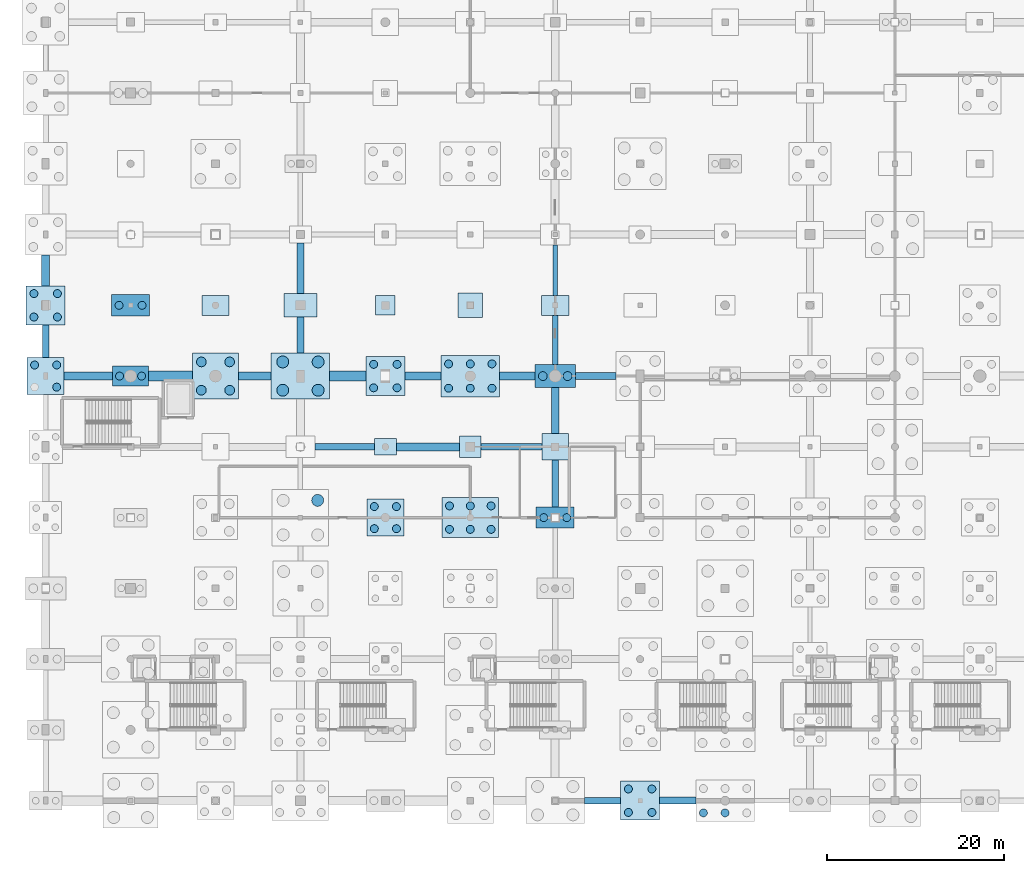
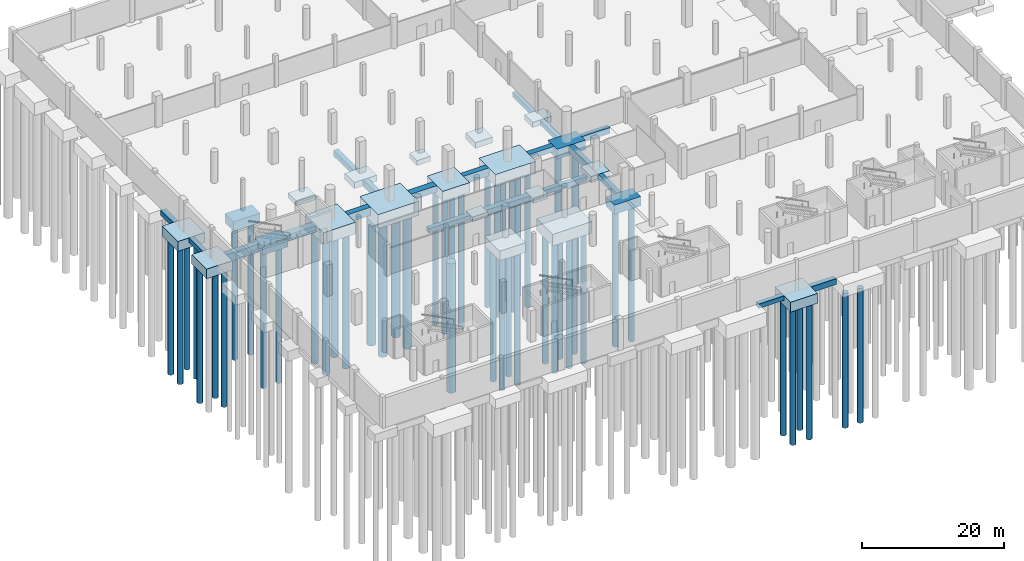
# One storey, part 3 of 44: 50 piles, 41 footings.
"""IFC4 building model written with IfcOpenShell, lengths in metres."""

import ifcopenshell
import ifcopenshell.guid

model = None  # the IFC model being written
_history = None  # IfcOwnerHistory: only IFC2X3 demands one
_inside = {}  # id of a spatial element -> (the spatial element, [elements in it])
_under = {}  # id of a project, library or spatial element -> (it, [spatial elements below it])
_declared = {}  # id of a project -> (the project, [libraries it declares])
_typed = {}  # id of a type object -> (the type object, [elements of that type])
_made_of = {}  # id of a material, layer set ... -> (it, [elements and type objects made of it])


def new_model(schema):
    """Start an empty IFC model of exactly this schema.

    Asked for "IFC4X3", IfcOpenShell would pick the latest addendum, in which some entities
    have other attributes; the version numbers below select the first issue.
    IFC2X3 requires an IfcOwnerHistory on every rooted entity: one is made here for all.
    """
    global model, _history
    if schema == "IFC4X3":
        model = ifcopenshell.file(schema_version=(4, 3, 0, 0))
    else:
        model = ifcopenshell.file(schema=schema)
    _inside.clear()
    _under.clear()
    _declared.clear()
    _typed.clear()
    _made_of.clear()
    _history = None
    if model.schema == "IFC2X3":
        org = make("IfcOrganization", Name="unknown")
        user = make(
            "IfcPersonAndOrganization",
            ThePerson=make("IfcPerson", FamilyName="unknown"),
            TheOrganization=org,
        )
        app = make(
            "IfcApplication",
            ApplicationDeveloper=org,
            Version="unknown",
            ApplicationFullName="unknown",
            ApplicationIdentifier="unknown",
        )
        _history = make(
            "IfcOwnerHistory",
            OwningUser=user,
            OwningApplication=app,
            ChangeAction="ADDED",
            CreationDate=0,
        )
    return model


def make(cls, **values):
    """One entity of the class cls with the attributes given. An attribute that is None is left unset."""
    return model.create_entity(
        cls, **{name: value for name, value in values.items() if value is not None}
    )


def rooted(cls, **values):
    """An entity with a GlobalId (a new one), such as an element, a storey or a relation."""
    return make(cls, GlobalId=ifcopenshell.guid.new(), OwnerHistory=_history, **values)


def si_unit(unit_type, name, prefix=None):
    """IfcSIUnit, for example si_unit("LENGTHUNIT", "METRE", prefix="MILLI")."""
    return make("IfcSIUnit", UnitType=unit_type, Prefix=prefix, Name=name)


def assignment(units):
    """IfcUnitAssignment: the units of a project."""
    return None if units is None else make("IfcUnitAssignment", Units=units)


def point(xyz):
    """IfcCartesianPoint."""
    return None if xyz is None else make("IfcCartesianPoint", Coordinates=xyz)


def direction(xyz):
    """IfcDirection."""
    return None if xyz is None else make("IfcDirection", DirectionRatios=xyz)


def frame(location, z_axis=None, x_axis=None):
    """IfcAxis2Placement3D, a coordinate frame: its origin and axes. An axis left out is left unset."""
    return make(
        "IfcAxis2Placement3D",
        Location=point(location),
        Axis=direction(z_axis),
        RefDirection=direction(x_axis),
    )


def frame_2d(location, x_axis=None):
    """IfcAxis2Placement2D, a coordinate frame in the plane: its origin and x axis."""
    return make(
        "IfcAxis2Placement2D", Location=point(location), RefDirection=direction(x_axis)
    )


def origin():
    """The frame at (0, 0, 0) with its axes left unset."""
    return frame((0.0, 0.0, 0.0))


def origin_2d():
    """The frame at (0, 0) in the plane with its x axis left unset."""
    return frame_2d((0.0, 0.0))


def place(relative_to, where):
    """IfcLocalPlacement: puts the frame where relative to a parent placement (None: the world)."""
    return make(
        "IfcLocalPlacement", PlacementRelTo=relative_to, RelativePlacement=where
    )


def context(
    kind, dimensions, precision=None, world=None, true_north=None, identifier=None
):
    """IfcGeometricRepresentationContext, for example the 3D "Model" context."""
    return make(
        "IfcGeometricRepresentationContext",
        ContextIdentifier=identifier,
        ContextType=kind,
        CoordinateSpaceDimension=dimensions,
        Precision=precision,
        WorldCoordinateSystem=world,
        TrueNorth=true_north,
    )


def subcontext(parent, identifier, kind, view, scale=None):
    """IfcGeometricRepresentationSubContext, for example "Body" below "Model"."""
    return make(
        "IfcGeometricRepresentationSubContext",
        ContextIdentifier=identifier,
        ContextType=kind,
        ParentContext=parent,
        TargetScale=scale,
        TargetView=view,
    )


def project(units=None, contexts=None):
    """IfcProject with its units and contexts."""
    return rooted(
        "IfcProject",
        Name="project",
        RepresentationContexts=contexts,
        UnitsInContext=assignment(units),
    )


def spatial(cls, under=None, at=None, **own):
    """A site, building, storey or space (cls), placed at a placement, below another one or the project."""
    s = rooted(cls, ObjectPlacement=at, **own)
    if under is not None:
        _under.setdefault(under.id(), (under, []))[1].append(s)
    return s


def profile(cls, at=None, kind="AREA", **sizes):
    """A parametric profile (cls). Its sizes go by their IFC names, for example OverallWidth=200.0."""
    return make(cls, ProfileType=kind, Position=at, **sizes)


def rectangle(**sizes):
    """IfcRectangleProfileDef."""
    return profile("IfcRectangleProfileDef", **sizes)


def circle(**sizes):
    """IfcCircleProfileDef."""
    return profile("IfcCircleProfileDef", **sizes)


def extrude(swept, where, along, depth):
    """IfcExtrudedAreaSolid: the profile swept, set in the frame where, extruded along a direction by depth."""
    return make(
        "IfcExtrudedAreaSolid",
        SweptArea=swept,
        Position=where,
        ExtrudedDirection=direction(along),
        Depth=depth,
    )


def shape(context_of_items, identifier, shape_type, items):
    """IfcShapeRepresentation: the items that make up one representation, for example the "Body"."""
    return make(
        "IfcShapeRepresentation",
        ContextOfItems=context_of_items,
        RepresentationIdentifier=identifier,
        RepresentationType=shape_type,
        Items=items,
    )


def material(Name=None, Category=None):
    """IfcMaterial."""
    return make("IfcMaterial", Name=Name, Category=Category)


def material_profile(
    of_material, cross_section, Name=None, Category=None, Priority=None
):
    """IfcMaterialProfile: a cross section and its material."""
    return make(
        "IfcMaterialProfile",
        Name=Name,
        Material=of_material,
        Profile=cross_section,
        Priority=Priority,
        Category=Category,
    )


def profile_set(profiles, Name=None, composite=None):
    """IfcMaterialProfileSet."""
    return make(
        "IfcMaterialProfileSet",
        Name=Name,
        MaterialProfiles=profiles,
        CompositeProfile=composite,
    )


def made_of(thing, what):
    """Note that an element or type object is made of a material, layer set ...; save() writes the relation."""
    if what is not None:
        _made_of.setdefault(what.id(), (what, []))[1].append(thing)
    return thing


def type_object(cls, material=None, **own):
    """A type object (cls), such as IfcWallType, which elements share."""
    return made_of(rooted(cls, **own), material)


def element(
    cls,
    number,
    at=None,
    inside=None,
    cuts=None,
    type_object=None,
    material=None,
    context=None,
    identifier="Body",
    shape_type=None,
    held_by="IfcProductDefinitionShape",
    body=None,
    shapes=None,
    **own,
):
    """One element of the class cls, such as IfcWall. Its Tag is "e" and its number.

    at: its placement. inside: the storey or other place that contains it. cuts: it is an
    opening in that element (IfcRelVoidsElement). A single representation is given by context,
    identifier, shape_type and body (its items); several are given by shapes. held_by: the class
    of the entity that holds the representations. save() writes the other relations.
    """
    e = rooted(cls, Tag="e%d" % number, ObjectPlacement=at, **own)
    if body is not None:
        shapes = [shape(context, identifier, shape_type, body)]
    if shapes is not None:
        e.Representation = make(held_by, Representations=shapes)
    if inside is not None:
        _inside.setdefault(inside.id(), (inside, []))[1].append(e)
    if cuts is not None:
        rooted(
            "IfcRelVoidsElement", RelatingBuildingElement=cuts, RelatedOpeningElement=e
        )
    if type_object is not None:
        _typed.setdefault(type_object.id(), (type_object, []))[1].append(e)
    return made_of(e, material)


def aggregate(whole, parts):
    """IfcRelAggregates: a whole, such as a stair, and the parts it consists of."""
    return rooted("IfcRelAggregates", RelatingObject=whole, RelatedObjects=parts)


def save(model, path):
    """Write the relations noted so far, then the file.

    IfcRelAggregates (storeys below a building ...), IfcRelContainedInSpatialStructure (elements
    in a storey), IfcRelDefinesByType, IfcRelAssociatesMaterial and IfcRelDeclares: one each for
    every whole, place, type object, material and project.
    """
    for whole, parts in _under.values():
        aggregate(whole, parts)
    for where, things in _inside.values():
        rooted(
            "IfcRelContainedInSpatialStructure",
            RelatedElements=things,
            RelatingStructure=where,
        )
    for kind, things in _typed.values():
        rooted("IfcRelDefinesByType", RelatedObjects=things, RelatingType=kind)
    for what, things in _made_of.values():
        rooted("IfcRelAssociatesMaterial", RelatedObjects=things, RelatingMaterial=what)
    for by, libraries in _declared.values():
        rooted("IfcRelDeclares", RelatingContext=by, RelatedDefinitions=libraries)
    model.write(path)


model = new_model("IFC4")

# Units and contexts
model_context = context("Model", 3, precision=1e-05, world=origin(), true_north=direction((0.0, 1.0)))
body_context = subcontext(model_context, "Body", "Model", "MODEL_VIEW")
ifc_project = project(units=[si_unit("LENGTHUNIT", "METRE"), si_unit("AREAUNIT", "SQUARE_METRE"), si_unit("VOLUMEUNIT", "CUBIC_METRE"), si_unit("PLANEANGLEUNIT", "RADIAN"), si_unit("MASSUNIT", "GRAM", prefix="KILO")], contexts=[model_context])

# Site, building, storey
site_placement = place(None, origin())
site = spatial("IfcSite", under=ifc_project, at=site_placement, CompositionType="ELEMENT")
building_placement = place(site_placement, origin())
building = spatial("IfcBuilding", under=site, at=building_placement, Name="Danafjord Basin Convention Centre", CompositionType="ELEMENT")
storey_placement = place(building_placement, frame((0.0, 0.0, -5.39990234375)))
storey = spatial("IfcBuildingStorey", under=building, at=storey_placement, Name="B1", CompositionType="ELEMENT", Elevation=-5.39990234375)

# Footings
ifc_material_1 = material(Name="Concrete C40/50", Category="concrete")
footing_type_1 = type_object("IfcFootingType", Name="CAP-PC-03", PredefinedType="PILE_CAP", material=ifc_material_1)
footing_1_placement = place(storey_placement, frame((9.60009765625, 56.0, -1.55029296875), z_axis=(0.0, 0.0, 1.0), x_axis=(1.0, 0.0, 0.0)))
element("IfcFooting", 1, at=footing_1_placement, inside=storey, type_object=footing_type_1, Name="B1 pile cap PC-03 at (9.6, 56.0)", PredefinedType="PILE_CAP", context=body_context, shape_type="SweptSolid", body=[
    extrude(rectangle(XDim=4.10009765625, YDim=2.300048828125, at=origin_2d()), origin(), (0.0, 0.0, 1.0), 1.550048828125),
])
footing_type_2 = type_object("IfcFootingType", Name="CAP-PC-04", PredefinedType="PILE_CAP", material=ifc_material_1)
for number, where, z_axis, x_axis, name in (
    (2, (9.60009765625, 64.0, -2.2001953125), (0.0, 0.0, 1.0), (1.0, 0.0, 0.0), "B1 pile cap PC-04 at (9.6, 64.0)"),
    (3, (57.60009765625, 40.0, -1.60009765625), (0.0, 0.0, 1.0), (1.0, 0.0, 0.0), "B1 pile cap PC-04 at (57.6, 40.0)"),
):
    element("IfcFooting", number, at=place(storey_placement, frame(where, z_axis=z_axis, x_axis=x_axis)), inside=storey, type_object=footing_type_2, Name=name, PredefinedType="PILE_CAP", context=body_context, shape_type="SweptSolid", body=[
        extrude(rectangle(XDim=4.300048828125, YDim=2.39990234375, at=origin_2d()), origin(), (0.0, 0.0, 1.0), 1.60009765625),
    ])
footing_type_3 = type_object("IfcFootingType", Name="CAP-PC-05", PredefinedType="PILE_CAP", material=ifc_material_1)
footing_2_placement = place(storey_placement, frame((57.60009765625, 56.0, -1.7001953125), z_axis=(0.0, 0.0, 1.0), x_axis=(1.0, 0.0, 0.0)))
element("IfcFooting", 4, at=footing_2_placement, inside=storey, type_object=footing_type_3, Name="B1 pile cap PC-05 at (57.6, 56.0)", PredefinedType="PILE_CAP", context=body_context, shape_type="SweptSolid", body=[
    extrude(rectangle(XDim=4.60009765625, YDim=2.60009765625, at=origin_2d()), origin(), (0.0, 0.0, 1.0), 1.699951171875),
])
footing_type_4 = type_object("IfcFootingType", Name="CAP-PC-08", PredefinedType="PILE_CAP", material=ifc_material_1)
for number, where, z_axis, x_axis, name in (
    (5, (0.0, 56.0, -1.650146484375), (0.0, 0.0, 1.0), (1.0, 0.0, 0.0), "B1 pile cap PC-08 at (0.0, 56.0)"),
    (6, (38.39990234375, 40.0, -2.300048828125), (0.0, 0.0, 1.0), (1.0, 0.0, 0.0), "B1 pile cap PC-08 at (38.4, 40.0)"),
):
    element("IfcFooting", number, at=place(storey_placement, frame(where, z_axis=z_axis, x_axis=x_axis)), inside=storey, type_object=footing_type_4, Name=name, PredefinedType="PILE_CAP", context=body_context, shape_type="SweptSolid", body=[
        extrude(rectangle(XDim=4.199951171875, YDim=4.199951171875, at=origin_2d()), origin(), (0.0, 0.0, 1.0), 1.64990234375),
    ])
footing_type_5 = type_object("IfcFootingType", Name="CAP-PC-09", PredefinedType="PILE_CAP", material=ifc_material_1)
for number, where, z_axis, x_axis, name in (
    (7, (0.0, 64.0, -1.7001953125), (0.0, 0.0, 1.0), (1.0, 0.0, 0.0), "B1 pile cap PC-09 at (0.0, 64.0)"),
    (8, (38.39990234375, 56.0, -1.7001953125), (0.0, 0.0, 1.0), (1.0, 0.0, 0.0), "B1 pile cap PC-09 at (38.4, 56.0)"),
    (9, (67.199951171875, 8.0, -1.7001953125), (0.0, 0.0, 1.0), (1.0, 0.0, 0.0), "B1 pile cap PC-09 at (67.2, 8.0)"),
):
    element("IfcFooting", number, at=place(storey_placement, frame(where, z_axis=z_axis, x_axis=x_axis)), inside=storey, type_object=footing_type_5, Name=name, PredefinedType="PILE_CAP", context=body_context, shape_type="SweptSolid", body=[
        extrude(rectangle(XDim=4.39990234375, YDim=4.39990234375, at=origin_2d()), origin(), (0.0, 0.0, 1.0), 1.699951171875),
    ])
footing_type_6 = type_object("IfcFootingType", Name="CAP-PC-13", PredefinedType="PILE_CAP", material=ifc_material_1)
footing_3_placement = place(storey_placement, frame((19.199951171875, 56.0, -2.0), z_axis=(0.0, 0.0, 1.0), x_axis=(1.0, 0.0, 0.0)))
element("IfcFooting", 10, at=footing_3_placement, inside=storey, type_object=footing_type_6, Name="B1 pile cap PC-13 at (19.2, 56.0)", PredefinedType="PILE_CAP", context=body_context, shape_type="SweptSolid", body=[
    extrude(rectangle(XDim=5.199951171875, YDim=5.199951171875, at=origin_2d()), origin(), (0.0, 0.0, 1.0), 2.0),
])
footing_type_7 = type_object("IfcFootingType", Name="CAP-PC-17", PredefinedType="PILE_CAP", material=ifc_material_1)
footing_4_placement = place(storey_placement, frame((48.0, 40.0, -2.650146484375), z_axis=(0.0, 0.0, 1.0), x_axis=(1.0, 0.0, 0.0)))
element("IfcFooting", 11, at=footing_4_placement, inside=storey, type_object=footing_type_7, Name="B1 pile cap PC-17 at (48.0, 40.0)", PredefinedType="PILE_CAP", context=body_context, shape_type="SweptSolid", body=[
    extrude(rectangle(XDim=6.39990234375, YDim=4.5, at=origin_2d()), origin(), (0.0, 0.0, 1.0), 2.0),
])
footing_type_8 = type_object("IfcFootingType", Name="CAP-PC-18", PredefinedType="PILE_CAP", material=ifc_material_1)
footing_5_placement = place(storey_placement, frame((48.0, 56.0, -2.05029296875), z_axis=(0.0, 0.0, 1.0), x_axis=(1.0, 0.0, 0.0)))
element("IfcFooting", 12, at=footing_5_placement, inside=storey, type_object=footing_type_8, Name="B1 pile cap PC-18 at (48.0, 56.0)", PredefinedType="PILE_CAP", context=body_context, shape_type="SweptSolid", body=[
    extrude(rectangle(XDim=6.60009765625, YDim=4.699951171875, at=origin_2d()), origin(), (0.0, 0.0, 1.0), 2.050048828125),
])
footing_type_9 = type_object("IfcFootingType", Name="CAP-PC-22", PredefinedType="PILE_CAP", material=ifc_material_1)
footing_6_placement = place(storey_placement, frame((28.800048828125, 56.0, -2.400146484375), z_axis=(0.0, 0.0, 1.0), x_axis=(1.0, 0.0, 0.0)))
element("IfcFooting", 13, at=footing_6_placement, inside=storey, type_object=footing_type_9, Name="B1 pile cap PC-22 at (28.8, 56.0)", PredefinedType="PILE_CAP", context=body_context, shape_type="SweptSolid", body=[
    extrude(rectangle(XDim=6.60009765625, YDim=5.199951171875, at=origin_2d()), origin(), (0.0, 0.0, 1.0), 2.39990234375),
])
ifc_material_profile_1 = material_profile(ifc_material_1, rectangle(XDim=0.800048828125, YDim=1.0, at=origin_2d()), Name="GB 800x1000")
ifc_profile_set_1 = profile_set([ifc_material_profile_1], Name="Concrete C40/50")
footing_type_10 = type_object("IfcFootingType", Name="FBM-FB-01", PredefinedType="FOOTING_BEAM", material=ifc_profile_set_1)
footing_7_placement = place(storey_placement, frame((28.800048828125, 65.35009765625, -1.10009765625), z_axis=(0.0, 1.0, 0.0), x_axis=(-1.0, 0.0, 0.0)))
element("IfcFooting", 14, at=footing_7_placement, inside=storey, type_object=footing_type_10, Name="B1 foundation tie beam FB-01", PredefinedType="FOOTING_BEAM", context=body_context, shape_type="SweptSolid", body=[
    extrude(rectangle(XDim=0.800048828125, YDim=1.0, at=origin_2d()), origin(), (0.0, 0.0, 1.0), 5.699951171875),
])
footing_8_placement = place(storey_placement, frame((59.89990234375, 56.0, -0.5), z_axis=(1.0, 0.0, 0.0), x_axis=(0.0, 1.0, 0.0)))
element("IfcFooting", 15, at=footing_8_placement, inside=storey, type_object=footing_type_10, Name="B1 foundation beam FB-01", PredefinedType="FOOTING_BEAM", context=body_context, shape_type="SweptSolid", body=[
    extrude(rectangle(XDim=0.800048828125, YDim=1.0, at=origin_2d()), origin(), (0.0, 0.0, 1.0), 4.550048828125),
])
footing_9_placement = place(storey_placement, frame((69.39990234375, 8.0, -0.5), z_axis=(1.0, 0.0, 0.0), x_axis=(0.0, 1.0, 0.0)))
element("IfcFooting", 16, at=footing_9_placement, inside=storey, type_object=footing_type_10, Name="B1 foundation beam FB-01", PredefinedType="FOOTING_BEAM", context=body_context, shape_type="SweptSolid", body=[
    extrude(rectangle(XDim=0.800048828125, YDim=1.0, at=origin_2d()), origin(), (0.0, 0.0, 1.0), 4.10009765625),
])
ifc_material_profile_2 = material_profile(ifc_material_1, rectangle(XDim=0.60009765625, YDim=0.89990234375, at=origin_2d()), Name="GB 600x900")
ifc_profile_set_2 = profile_set([ifc_material_profile_2], Name="Concrete C40/50")
footing_type_11 = type_object("IfcFootingType", Name="FBM-FB-02", PredefinedType="FOOTING_BEAM", material=ifc_profile_set_2)
footing_10_placement = place(storey_placement, frame((57.60009765625, 57.300048828125, -1.050048828125), z_axis=(0.0, 1.0, 0.0), x_axis=(-1.0, 0.0, 0.0)))
element("IfcFooting", 17, at=footing_10_placement, inside=storey, type_object=footing_type_11, Name="B1 foundation tie beam FB-02", PredefinedType="FOOTING_BEAM", context=body_context, shape_type="SweptSolid", body=[
    extrude(rectangle(XDim=0.60009765625, YDim=0.89990234375, at=origin_2d()), origin(), (0.0, 0.0, 1.0), 5.574951171875),
])
ifc_material_profile_3 = material_profile(ifc_material_1, rectangle(XDim=0.5, YDim=0.800048828125, at=origin_2d()), Name="PCB 500x800")
ifc_profile_set_3 = profile_set([ifc_material_profile_3], Name="Concrete C40/50")
footing_type_12 = type_object("IfcFootingType", Name="FBM-FB-03", PredefinedType="FOOTING_BEAM", material=ifc_profile_set_3)
footing_11_placement = place(storey_placement, frame((57.60009765625, 65.125, -1.0), z_axis=(0.0, 1.0, 0.0), x_axis=(-1.0, 0.0, 0.0)))
element("IfcFooting", 18, at=footing_11_placement, inside=storey, type_object=footing_type_12, Name="B1 foundation tie beam FB-03", PredefinedType="FOOTING_BEAM", context=body_context, shape_type="SweptSolid", body=[
    extrude(rectangle(XDim=0.5, YDim=0.800048828125, at=origin_2d()), origin(), (0.0, 0.0, 1.0), 5.675048828125),
])
ifc_material_profile_4 = material_profile(ifc_material_1, rectangle(XDim=0.75, YDim=0.75, at=origin_2d()), Name="RC 750x750")
ifc_profile_set_4 = profile_set([ifc_material_profile_4], Name="Concrete C40/50")
footing_type_13 = type_object("IfcFootingType", Name="FBM-FB-04", PredefinedType="FOOTING_BEAM", material=ifc_profile_set_4)
footing_12_placement = place(storey_placement, frame((0.0, 58.10009765625, -0.375), z_axis=(0.0, 1.0, 0.0), x_axis=(-1.0, 0.0, 0.0)))
element("IfcFooting", 19, at=footing_12_placement, inside=storey, type_object=footing_type_13, Name="B1 foundation tie beam FB-04", PredefinedType="FOOTING_BEAM", context=body_context, shape_type="SweptSolid", body=[
    extrude(rectangle(XDim=0.75, YDim=0.75, at=origin_2d()), origin(), (0.0, 0.0, 1.0), 3.699951171875),
])
footing_13_placement = place(storey_placement, frame((30.449951171875, 48.0, -1.025146484375), z_axis=(1.0, 0.0, 0.0), x_axis=(0.0, 1.0, 0.0)))
element("IfcFooting", 20, at=footing_13_placement, inside=storey, type_object=footing_type_13, Name="B1 foundation beam FB-04", PredefinedType="FOOTING_BEAM", context=body_context, shape_type="SweptSolid", body=[
    extrude(rectangle(XDim=0.75, YDim=0.75, at=origin_2d()), origin(), (0.0, 0.0, 1.0), 6.699951171875),
])
footing_14_placement = place(storey_placement, frame((49.199951171875, 48.0, -1.025146484375), z_axis=(1.0, 0.0, 0.0), x_axis=(0.0, 1.0, 0.0)))
element("IfcFooting", 21, at=footing_14_placement, inside=storey, type_object=footing_type_13, Name="B1 foundation beam FB-04", PredefinedType="FOOTING_BEAM", context=body_context, shape_type="SweptSolid", body=[
    extrude(rectangle(XDim=0.75, YDim=0.75, at=origin_2d()), origin(), (0.0, 0.0, 1.0), 6.900146484375),
])
footing_15_placement = place(storey_placement, frame((60.89990234375, 8.0, -0.375), z_axis=(1.0, 0.0, 0.0), x_axis=(0.0, 1.0, 0.0)))
element("IfcFooting", 22, at=footing_15_placement, inside=storey, type_object=footing_type_13, Name="B1 foundation beam FB-04", PredefinedType="FOOTING_BEAM", context=body_context, shape_type="SweptSolid", body=[
    extrude(rectangle(XDim=0.75, YDim=0.75, at=origin_2d()), origin(), (0.0, 0.0, 1.0), 4.10009765625),
])
footing_16_placement = place(storey_placement, frame((57.60009765625, 41.199951171875, -0.375), z_axis=(0.0, 1.0, 0.0), x_axis=(-1.0, 0.0, 0.0)))
element("IfcFooting", 23, at=footing_16_placement, inside=storey, type_object=footing_type_13, Name="B1 foundation tie beam FB-04", PredefinedType="FOOTING_BEAM", context=body_context, shape_type="SweptSolid", body=[
    extrude(rectangle(XDim=0.75, YDim=0.75, at=origin_2d()), origin(), (0.0, 0.0, 1.0), 5.300048828125),
])
ifc_material_profile_5 = material_profile(ifc_material_1, rectangle(XDim=0.89990234375, YDim=0.89990234375, at=origin_2d()), Name="RC 900x900")
ifc_profile_set_5 = profile_set([ifc_material_profile_5], Name="Concrete C40/50")
footing_type_14 = type_object("IfcFootingType", Name="FBM-FB-05", PredefinedType="FOOTING_BEAM", material=ifc_profile_set_5)
footing_17_placement = place(storey_placement, frame((0.0, 66.199951171875, -0.4501953125), z_axis=(0.0, 1.0, 0.0), x_axis=(-1.0, 0.0, 0.0)))
element("IfcFooting", 24, at=footing_17_placement, inside=storey, type_object=footing_type_14, Name="B1 foundation tie beam FB-05", PredefinedType="FOOTING_BEAM", context=body_context, shape_type="SweptSolid", body=[
    extrude(rectangle(XDim=0.89990234375, YDim=0.89990234375, at=origin_2d()), origin(), (0.0, 0.0, 1.0), 3.5),
])
footing_18_placement = place(storey_placement, frame((39.64990234375, 48.0, -1.10009765625), z_axis=(1.0, 0.0, 0.0), x_axis=(0.0, 1.0, 0.0)))
element("IfcFooting", 25, at=footing_18_placement, inside=storey, type_object=footing_type_14, Name="B1 foundation beam FB-05", PredefinedType="FOOTING_BEAM", context=body_context, shape_type="SweptSolid", body=[
    extrude(rectangle(XDim=0.89990234375, YDim=0.89990234375, at=origin_2d()), origin(), (0.0, 0.0, 1.0), 7.150146484375),
])
footing_19_placement = place(storey_placement, frame((51.300048828125, 56.0, -0.4501953125), z_axis=(1.0, 0.0, 0.0), x_axis=(0.0, 1.0, 0.0)))
element("IfcFooting", 26, at=footing_19_placement, inside=storey, type_object=footing_type_14, Name="B1 foundation beam FB-05", PredefinedType="FOOTING_BEAM", context=body_context, shape_type="SweptSolid", body=[
    extrude(rectangle(XDim=0.89990234375, YDim=0.89990234375, at=origin_2d()), origin(), (0.0, 0.0, 1.0), 4.0),
])
ifc_material_profile_6 = material_profile(ifc_material_1, rectangle(XDim=0.800048828125, YDim=1.199951171875, at=origin_2d()), Name="RC 1200x800")
ifc_profile_set_6 = profile_set([ifc_material_profile_6], Name="Concrete C40/50")
footing_type_15 = type_object("IfcFootingType", Name="FBM-FB-06", PredefinedType="FOOTING_BEAM", material=ifc_profile_set_6)
footing_20_placement = place(storey_placement, frame((28.800048828125, 58.60009765625, -1.2001953125), z_axis=(0.0, 1.0, 0.0), x_axis=(-1.0, 0.0, 0.0)))
element("IfcFooting", 27, at=footing_20_placement, inside=storey, type_object=footing_type_15, Name="B1 foundation tie beam FB-06", PredefinedType="FOOTING_BEAM", context=body_context, shape_type="SweptSolid", body=[
    extrude(rectangle(XDim=0.800048828125, YDim=1.199951171875, at=origin_2d()), origin(), (0.0, 0.0, 1.0), 4.0498046875),
])
footing_21_placement = place(storey_placement, frame((57.60009765625, 49.5, -0.60009765625), z_axis=(0.0, 1.0, 0.0), x_axis=(-1.0, 0.0, 0.0)))
element("IfcFooting", 28, at=footing_21_placement, inside=storey, type_object=footing_type_15, Name="B1 foundation tie beam FB-06", PredefinedType="FOOTING_BEAM", context=body_context, shape_type="SweptSolid", body=[
    extrude(rectangle(XDim=0.800048828125, YDim=1.199951171875, at=origin_2d()), origin(), (0.0, 0.0, 1.0), 5.199951171875),
])
ifc_material_profile_7 = material_profile(ifc_material_1, rectangle(XDim=1.10009765625, YDim=1.10009765625, at=origin_2d()), Name="RC 1100x1100")
ifc_profile_set_7 = profile_set([ifc_material_profile_7], Name="Concrete C40/50")
footing_type_16 = type_object("IfcFootingType", Name="FBM-SF-01", PredefinedType="STRIP_FOOTING", material=ifc_profile_set_7)
footing_22_placement = place(storey_placement, frame((11.64990234375, 56.0, -0.550048828125), z_axis=(1.0, 0.0, 0.0), x_axis=(0.0, 1.0, 0.0)))
element("IfcFooting", 29, at=footing_22_placement, inside=storey, type_object=footing_type_16, Name="B1 foundation beam SF-01", PredefinedType="STRIP_FOOTING", context=body_context, shape_type="SweptSolid", body=[
    extrude(rectangle(XDim=1.10009765625, YDim=1.10009765625, at=origin_2d()), origin(), (0.0, 0.0, 1.0), 4.9501953125),
])
footing_23_placement = place(storey_placement, frame((32.10009765625, 56.0, -0.550048828125), z_axis=(1.0, 0.0, 0.0), x_axis=(0.0, 1.0, 0.0)))
element("IfcFooting", 30, at=footing_23_placement, inside=storey, type_object=footing_type_16, Name="B1 foundation beam SF-01", PredefinedType="STRIP_FOOTING", context=body_context, shape_type="SweptSolid", body=[
    extrude(rectangle(XDim=1.10009765625, YDim=1.10009765625, at=origin_2d()), origin(), (0.0, 0.0, 1.0), 4.099853515625),
])
ifc_material_profile_8 = material_profile(ifc_material_1, rectangle(XDim=0.89990234375, YDim=1.39990234375, at=origin_2d()), Name="RC 1400x900")
ifc_profile_set_8 = profile_set([ifc_material_profile_8], Name="Concrete C40/50")
footing_type_17 = type_object("IfcFootingType", Name="FBM-SF-02", PredefinedType="STRIP_FOOTING", material=ifc_profile_set_8)
footing_24_placement = place(storey_placement, frame((2.10009765625, 56.0, -0.7001953125), z_axis=(1.0, 0.0, 0.0), x_axis=(0.0, 1.0, 0.0)))
element("IfcFooting", 31, at=footing_24_placement, inside=storey, type_object=footing_type_17, Name="B1 foundation beam SF-02", PredefinedType="STRIP_FOOTING", context=body_context, shape_type="SweptSolid", body=[
    extrude(rectangle(XDim=0.89990234375, YDim=1.39990234375, at=origin_2d()), origin(), (0.0, 0.0, 1.0), 5.449951171875),
])
footing_25_placement = place(storey_placement, frame((21.800048828125, 56.0, -0.7001953125), z_axis=(1.0, 0.0, 0.0), x_axis=(0.0, 1.0, 0.0)))
element("IfcFooting", 32, at=footing_25_placement, inside=storey, type_object=footing_type_17, Name="B1 foundation beam SF-02", PredefinedType="STRIP_FOOTING", context=body_context, shape_type="SweptSolid", body=[
    extrude(rectangle(XDim=0.89990234375, YDim=1.39990234375, at=origin_2d()), origin(), (0.0, 0.0, 1.0), 3.699951171875),
])
footing_26_placement = place(storey_placement, frame((40.60009765625, 56.0, -0.7001953125), z_axis=(1.0, 0.0, 0.0), x_axis=(0.0, 1.0, 0.0)))
element("IfcFooting", 33, at=footing_26_placement, inside=storey, type_object=footing_type_17, Name="B1 foundation beam SF-02", PredefinedType="STRIP_FOOTING", context=body_context, shape_type="SweptSolid", body=[
    extrude(rectangle(XDim=0.89990234375, YDim=1.39990234375, at=origin_2d()), origin(), (0.0, 0.0, 1.0), 4.099853515625),
])
ifc_material_2 = material(Name="Concrete C35/45", Category="concrete")
footing_type_18 = type_object("IfcFootingType", Name="PAD-PF-02", PredefinedType="PAD_FOOTING", material=ifc_material_2)
footing_27_placement = place(storey_placement, frame((38.39990234375, 64.0, -1.4501953125), z_axis=(0.0, 0.0, 1.0), x_axis=(1.0, 0.0, 0.0)))
element("IfcFooting", 34, at=footing_27_placement, inside=storey, type_object=footing_type_18, Name="B1 pad footing PF-02 at (38.4, 64.0)", PredefinedType="PAD_FOOTING", context=body_context, shape_type="SweptSolid", body=[
    extrude(rectangle(XDim=2.199951171875, YDim=2.199951171875, at=origin_2d()), origin(), (0.0, 0.0, 1.0), 0.85009765625),
])
footing_type_19 = type_object("IfcFootingType", Name="PAD-PF-03", PredefinedType="PAD_FOOTING", material=ifc_material_2)
footing_28_placement = place(storey_placement, frame((48.0, 48.0, -1.550048828125), z_axis=(0.0, 0.0, 1.0), x_axis=(1.0, 0.0, 0.0)))
element("IfcFooting", 35, at=footing_28_placement, inside=storey, type_object=footing_type_19, Name="B1 pad footing PF-03 at (48.0, 48.0)", PredefinedType="PAD_FOOTING", context=body_context, shape_type="SweptSolid", body=[
    extrude(rectangle(XDim=2.39990234375, YDim=2.39990234375, at=origin_2d()), origin(), (0.0, 0.0, 1.0), 0.89990234375),
])
footing_type_20 = type_object("IfcFootingType", Name="PAD-PF-05", PredefinedType="PAD_FOOTING", material=ifc_material_2)
footing_29_placement = place(storey_placement, frame((48.0, 64.0, -1.60009765625), z_axis=(0.0, 0.0, 1.0), x_axis=(1.0, 0.0, 0.0)))
element("IfcFooting", 36, at=footing_29_placement, inside=storey, type_object=footing_type_20, Name="B1 pad footing PF-05 at (48.0, 64.0)", PredefinedType="PAD_FOOTING", context=body_context, shape_type="SweptSolid", body=[
    extrude(rectangle(XDim=2.800048828125, YDim=2.800048828125, at=origin_2d()), origin(), (0.0, 0.0, 1.0), 1.0),
])
footing_type_21 = type_object("IfcFootingType", Name="PAD-PF-06", PredefinedType="PAD_FOOTING", material=ifc_material_2)
footing_30_placement = place(storey_placement, frame((57.60009765625, 48.0, -1.05029296875), z_axis=(0.0, 0.0, 1.0), x_axis=(1.0, 0.0, 0.0)))
element("IfcFooting", 37, at=footing_30_placement, inside=storey, type_object=footing_type_21, Name="B1 pad footing PF-06 at (57.6, 48.0)", PredefinedType="PAD_FOOTING", context=body_context, shape_type="SweptSolid", body=[
    extrude(rectangle(XDim=3.0, YDim=3.0, at=origin_2d()), origin(), (0.0, 0.0, 1.0), 1.050048828125),
])
footing_type_22 = type_object("IfcFootingType", Name="PAD-PF-08", PredefinedType="PAD_FOOTING", material=ifc_material_2)
for number, where, z_axis, x_axis, name in (
    (38, (19.199951171875, 64.0, -1.5), (0.0, 0.0, 1.0), (1.0, 0.0, 0.0), "B1 pad footing PF-08 at (19.2, 64.0)"),
    (39, (57.60009765625, 64.0, -1.5), (0.0, 0.0, 1.0), (1.0, 0.0, 0.0), "B1 pad footing PF-08 at (57.6, 64.0)"),
):
    element("IfcFooting", number, at=place(storey_placement, frame(where, z_axis=z_axis, x_axis=x_axis)), inside=storey, type_object=footing_type_22, Name=name, PredefinedType="PAD_FOOTING", context=body_context, shape_type="SweptSolid", body=[
        extrude(rectangle(XDim=3.10009765625, YDim=2.25, at=origin_2d()), origin(), (0.0, 0.0, 1.0), 0.89990234375),
    ])
footing_type_23 = type_object("IfcFootingType", Name="PAD-PF-11", PredefinedType="PAD_FOOTING", material=ifc_material_2)
footing_31_placement = place(storey_placement, frame((28.800048828125, 64.0, -1.64990234375), z_axis=(0.0, 0.0, 1.0), x_axis=(1.0, 0.0, 0.0)))
element("IfcFooting", 40, at=footing_31_placement, inside=storey, type_object=footing_type_23, Name="B1 pad footing PF-11 at (28.8, 64.0)", PredefinedType="PAD_FOOTING", context=body_context, shape_type="SweptSolid", body=[
    extrude(rectangle(XDim=3.699951171875, YDim=2.699951171875, at=origin_2d()), origin(), (0.0, 0.0, 1.0), 1.050048828125),
])
footing_type_24 = type_object("IfcFootingType", Name="PAD-PF-12", PredefinedType="PAD_FOOTING", material=ifc_material_2)
footing_32_placement = place(storey_placement, frame((38.39990234375, 48.0, -1.4501953125), z_axis=(0.0, 0.0, 1.0), x_axis=(1.0, 0.0, 0.0)))
element("IfcFooting", 41, at=footing_32_placement, inside=storey, type_object=footing_type_24, Name="B1 pad footing PF-12 at (38.4, 48.0)", PredefinedType="PAD_FOOTING", context=body_context, shape_type="SweptSolid", body=[
    extrude(rectangle(XDim=2.5, YDim=1.89990234375, at=origin_2d()), origin(), (0.0, 0.0, 1.0), 0.800048828125),
])

# Piles
ifc_material_profile_9 = material_profile(ifc_material_1, circle(Radius=0.5, at=origin_2d()), Name="PILE D1000")
ifc_profile_set_9 = profile_set([ifc_material_profile_9], Name="Concrete C40/50")
pile_type_1 = type_object("IfcPileType", Name="PILE-PL-1000", PredefinedType="BORED", material=ifc_profile_set_9)
for number, where, z_axis, x_axis, name in (
    (42, (56.199951171875, 56.0, -1.60009765625), (0.0, 0.0, -1.0), (1.0, 0.0, 0.0), "PC-05 bored pile 1-1"),
    (43, (59.0, 56.0, -1.60009765625), (0.0, 0.0, -1.0), (1.0, 0.0, 0.0), "PC-05 bored pile 2-1"),
):
    element("IfcPile", number, at=place(storey_placement, frame(where, z_axis=z_axis, x_axis=x_axis)), inside=storey, type_object=pile_type_1, Name=name, PredefinedType="BORED", context=body_context, shape_type="SweptSolid", body=[
        extrude(circle(Radius=0.5, at=origin_2d()), origin(), (0.0, 0.0, 1.0), 23.5),
    ])
ifc_material_profile_10 = material_profile(ifc_material_1, circle(Radius=0.550048828125, at=origin_2d()), Name="PILE D1100")
ifc_profile_set_10 = profile_set([ifc_material_profile_10], Name="Concrete C40/50")
pile_type_2 = type_object("IfcPileType", Name="PILE-PL-1100", PredefinedType="BORED", material=ifc_profile_set_10)
for number, where, z_axis, x_axis, name in (
    (44, (17.60009765625, 54.39990234375, -1.900146484375), (0.0, 0.0, -1.0), (1.0, 0.0, 0.0), "PC-13 bored pile 1-1"),
    (45, (17.60009765625, 57.60009765625, -1.900146484375), (0.0, 0.0, -1.0), (1.0, 0.0, 0.0), "PC-13 bored pile 1-2"),
    (46, (20.800048828125, 54.39990234375, -1.900146484375), (0.0, 0.0, -1.0), (1.0, 0.0, 0.0), "PC-13 bored pile 2-1"),
    (47, (20.800048828125, 57.60009765625, -1.900146484375), (0.0, 0.0, -1.0), (1.0, 0.0, 0.0), "PC-13 bored pile 2-2"),
):
    element("IfcPile", number, at=place(storey_placement, frame(where, z_axis=z_axis, x_axis=x_axis)), inside=storey, type_object=pile_type_2, Name=name, PredefinedType="BORED", context=body_context, shape_type="SweptSolid", body=[
        extrude(circle(Radius=0.550048828125, at=origin_2d()), origin(), (0.0, 0.0, 1.0), 23.199951171875),
    ])
ifc_material_profile_11 = material_profile(ifc_material_1, circle(Radius=0.675048828125, at=origin_2d()), Name="PILE D1350")
ifc_profile_set_11 = profile_set([ifc_material_profile_11], Name="Concrete C40/50")
pile_type_3 = type_object("IfcPileType", Name="PILE-PL-1350", PredefinedType="BORED", material=ifc_profile_set_11)
pile_placement = place(storey_placement, frame((30.75, 41.949951171875, -2.85009765625), z_axis=(0.0, 0.0, -1.0), x_axis=(1.0, 0.0, 0.0)))
element("IfcPile", 48, at=pile_placement, inside=storey, type_object=pile_type_3, Name="PC-21 bored pile 2-2", PredefinedType="BORED", context=body_context, shape_type="SweptSolid", body=[
    extrude(circle(Radius=0.675048828125, at=origin_2d()), origin(), (0.0, 0.0, 1.0), 22.25),
])
for number, where, z_axis, x_axis, name in (
    (49, (26.800048828125, 54.39990234375, -2.300048828125), (0.0, 0.0, -1.0), (1.0, 0.0, 0.0), "PC-22 bored pile 1-1"),
    (50, (26.800048828125, 57.60009765625, -2.300048828125), (0.0, 0.0, -1.0), (1.0, 0.0, 0.0), "PC-22 bored pile 1-2"),
    (51, (30.800048828125, 54.39990234375, -2.300048828125), (0.0, 0.0, -1.0), (1.0, 0.0, 0.0), "PC-22 bored pile 2-1"),
    (52, (30.800048828125, 57.60009765625, -2.300048828125), (0.0, 0.0, -1.0), (1.0, 0.0, 0.0), "PC-22 bored pile 2-2"),
):
    element("IfcPile", number, at=place(storey_placement, frame(where, z_axis=z_axis, x_axis=x_axis)), inside=storey, type_object=pile_type_3, Name=name, PredefinedType="BORED", context=body_context, shape_type="SweptSolid", body=[
        extrude(circle(Radius=0.675048828125, at=origin_2d()), origin(), (0.0, 0.0, 1.0), 22.800048828125),
    ])
ifc_material_profile_12 = material_profile(ifc_material_1, circle(Radius=0.449951171875, at=origin_2d()), Name="PILE D900")
ifc_profile_set_12 = profile_set([ifc_material_profile_12], Name="Concrete C40/50")
pile_type_4 = type_object("IfcPileType", Name="PILE-PL-900", PredefinedType="BORED", material=ifc_profile_set_12)
for number, where, z_axis, x_axis, name in (
    (53, (-1.25, 57.25, -1.550048828125), (0.0, 0.0, -1.0), (1.0, 0.0, 0.0), "PC-08 bored pile 1-2"),
    (54, (1.25, 54.75, -1.550048828125), (0.0, 0.0, -1.0), (1.0, 0.0, 0.0), "PC-08 bored pile 2-1"),
    (55, (1.25, 57.25, -1.550048828125), (0.0, 0.0, -1.0), (1.0, 0.0, 0.0), "PC-08 bored pile 2-2"),
):
    element("IfcPile", number, at=place(storey_placement, frame(where, z_axis=z_axis, x_axis=x_axis)), inside=storey, type_object=pile_type_4, Name=name, PredefinedType="BORED", context=body_context, shape_type="SweptSolid", body=[
        extrude(circle(Radius=0.449951171875, at=origin_2d()), origin(), (0.0, 0.0, 1.0), 23.550048828125),
    ])
for number, where, z_axis, x_axis, name in (
    (56, (-1.324951171875, 62.675048828125, -1.60009765625), (0.0, 0.0, -1.0), (1.0, 0.0, 0.0), "PC-09 bored pile 1-1"),
    (57, (-1.324951171875, 65.324951171875, -1.60009765625), (0.0, 0.0, -1.0), (1.0, 0.0, 0.0), "PC-09 bored pile 1-2"),
    (58, (1.324951171875, 62.675048828125, -1.60009765625), (0.0, 0.0, -1.0), (1.0, 0.0, 0.0), "PC-09 bored pile 2-1"),
    (59, (1.324951171875, 65.324951171875, -1.60009765625), (0.0, 0.0, -1.0), (1.0, 0.0, 0.0), "PC-09 bored pile 2-2"),
):
    element("IfcPile", number, at=place(storey_placement, frame(where, z_axis=z_axis, x_axis=x_axis)), inside=storey, type_object=pile_type_4, Name=name, PredefinedType="BORED", context=body_context, shape_type="SweptSolid", body=[
        extrude(circle(Radius=0.449951171875, at=origin_2d()), origin(), (0.0, 0.0, 1.0), 23.5),
    ])
for number, where, z_axis, x_axis, name in (
    (60, (8.35009765625, 56.0, -1.4501953125), (0.0, 0.0, -1.0), (1.0, 0.0, 0.0), "PC-03 bored pile 1-1"),
    (61, (10.85009765625, 56.0, -1.4501953125), (0.0, 0.0, -1.0), (1.0, 0.0, 0.0), "PC-03 bored pile 2-1"),
):
    element("IfcPile", number, at=place(storey_placement, frame(where, z_axis=z_axis, x_axis=x_axis)), inside=storey, type_object=pile_type_4, Name=name, PredefinedType="BORED", context=body_context, shape_type="SweptSolid", body=[
        extrude(circle(Radius=0.449951171875, at=origin_2d()), origin(), (0.0, 0.0, 1.0), 23.64990234375),
    ])
for number, where, z_axis, x_axis, name in (
    (62, (8.300048828125, 64.0, -2.10009765625), (0.0, 0.0, -1.0), (1.0, 0.0, 0.0), "PC-04 bored pile 1-1"),
    (63, (10.89990234375, 64.0, -2.10009765625), (0.0, 0.0, -1.0), (1.0, 0.0, 0.0), "PC-04 bored pile 2-1"),
):
    element("IfcPile", number, at=place(storey_placement, frame(where, z_axis=z_axis, x_axis=x_axis)), inside=storey, type_object=pile_type_4, Name=name, PredefinedType="BORED", context=body_context, shape_type="SweptSolid", body=[
        extrude(circle(Radius=0.449951171875, at=origin_2d()), origin(), (0.0, 0.0, 1.0), 23.0),
    ])
for number, where, z_axis, x_axis, name in (
    (64, (37.14990234375, 38.75, -2.2001953125), (0.0, 0.0, -1.0), (1.0, 0.0, 0.0), "PC-08 bored pile 1-1"),
    (65, (37.14990234375, 41.25, -2.2001953125), (0.0, 0.0, -1.0), (1.0, 0.0, 0.0), "PC-08 bored pile 1-2"),
    (66, (39.64990234375, 38.75, -2.2001953125), (0.0, 0.0, -1.0), (1.0, 0.0, 0.0), "PC-08 bored pile 2-1"),
    (67, (39.64990234375, 41.25, -2.2001953125), (0.0, 0.0, -1.0), (1.0, 0.0, 0.0), "PC-08 bored pile 2-2"),
):
    element("IfcPile", number, at=place(storey_placement, frame(where, z_axis=z_axis, x_axis=x_axis)), inside=storey, type_object=pile_type_4, Name=name, PredefinedType="BORED", context=body_context, shape_type="SweptSolid", body=[
        extrude(circle(Radius=0.449951171875, at=origin_2d()), origin(), (0.0, 0.0, 1.0), 22.89990234375),
    ])
for number, where, z_axis, x_axis, name in (
    (68, (37.074951171875, 54.675048828125, -1.60009765625), (0.0, 0.0, -1.0), (1.0, 0.0, 0.0), "PC-09 bored pile 1-1"),
    (69, (37.074951171875, 57.324951171875, -1.60009765625), (0.0, 0.0, -1.0), (1.0, 0.0, 0.0), "PC-09 bored pile 1-2"),
    (70, (39.72509765625, 54.675048828125, -1.60009765625), (0.0, 0.0, -1.0), (1.0, 0.0, 0.0), "PC-09 bored pile 2-1"),
    (71, (39.72509765625, 57.324951171875, -1.60009765625), (0.0, 0.0, -1.0), (1.0, 0.0, 0.0), "PC-09 bored pile 2-2"),
):
    element("IfcPile", number, at=place(storey_placement, frame(where, z_axis=z_axis, x_axis=x_axis)), inside=storey, type_object=pile_type_4, Name=name, PredefinedType="BORED", context=body_context, shape_type="SweptSolid", body=[
        extrude(circle(Radius=0.449951171875, at=origin_2d()), origin(), (0.0, 0.0, 1.0), 23.5),
    ])
for number, where, z_axis, x_axis, name in (
    (72, (45.64990234375, 38.675048828125, -2.550048828125), (0.0, 0.0, -1.0), (1.0, 0.0, 0.0), "PC-17 bored pile 1-1"),
    (73, (45.64990234375, 41.324951171875, -2.550048828125), (0.0, 0.0, -1.0), (1.0, 0.0, 0.0), "PC-17 bored pile 1-2"),
    (74, (48.0, 38.675048828125, -2.550048828125), (0.0, 0.0, -1.0), (1.0, 0.0, 0.0), "PC-17 bored pile 2-1"),
    (75, (48.0, 41.324951171875, -2.550048828125), (0.0, 0.0, -1.0), (1.0, 0.0, 0.0), "PC-17 bored pile 2-2"),
    (76, (50.35009765625, 38.675048828125, -2.550048828125), (0.0, 0.0, -1.0), (1.0, 0.0, 0.0), "PC-17 bored pile 3-1"),
    (77, (50.35009765625, 41.324951171875, -2.550048828125), (0.0, 0.0, -1.0), (1.0, 0.0, 0.0), "PC-17 bored pile 3-2"),
):
    element("IfcPile", number, at=place(storey_placement, frame(where, z_axis=z_axis, x_axis=x_axis)), inside=storey, type_object=pile_type_4, Name=name, PredefinedType="BORED", context=body_context, shape_type="SweptSolid", body=[
        extrude(circle(Radius=0.449951171875, at=origin_2d()), origin(), (0.0, 0.0, 1.0), 22.550048828125),
    ])
for number, where, z_axis, x_axis, name in (
    (78, (45.550048828125, 54.625, -1.9501953125), (0.0, 0.0, -1.0), (1.0, 0.0, 0.0), "PC-18 bored pile 1-1"),
    (79, (45.550048828125, 57.375, -1.9501953125), (0.0, 0.0, -1.0), (1.0, 0.0, 0.0), "PC-18 bored pile 1-2"),
    (80, (48.0, 54.625, -1.9501953125), (0.0, 0.0, -1.0), (1.0, 0.0, 0.0), "PC-18 bored pile 2-1"),
    (81, (48.0, 57.375, -1.9501953125), (0.0, 0.0, -1.0), (1.0, 0.0, 0.0), "PC-18 bored pile 2-2"),
    (82, (50.449951171875, 54.625, -1.9501953125), (0.0, 0.0, -1.0), (1.0, 0.0, 0.0), "PC-18 bored pile 3-1"),
    (83, (50.449951171875, 57.375, -1.9501953125), (0.0, 0.0, -1.0), (1.0, 0.0, 0.0), "PC-18 bored pile 3-2"),
):
    element("IfcPile", number, at=place(storey_placement, frame(where, z_axis=z_axis, x_axis=x_axis)), inside=storey, type_object=pile_type_4, Name=name, PredefinedType="BORED", context=body_context, shape_type="SweptSolid", body=[
        extrude(circle(Radius=0.449951171875, at=origin_2d()), origin(), (0.0, 0.0, 1.0), 23.14990234375),
    ])
for number, where, z_axis, x_axis, name in (
    (84, (56.300048828125, 40.0, -1.5), (0.0, 0.0, -1.0), (1.0, 0.0, 0.0), "PC-04 bored pile 1-1"),
    (85, (58.89990234375, 40.0, -1.5), (0.0, 0.0, -1.0), (1.0, 0.0, 0.0), "PC-04 bored pile 2-1"),
):
    element("IfcPile", number, at=place(storey_placement, frame(where, z_axis=z_axis, x_axis=x_axis)), inside=storey, type_object=pile_type_4, Name=name, PredefinedType="BORED", context=body_context, shape_type="SweptSolid", body=[
        extrude(circle(Radius=0.449951171875, at=origin_2d()), origin(), (0.0, 0.0, 1.0), 23.60009765625),
    ])
for number, where, z_axis, x_axis, name in (
    (86, (65.875, 6.675048828125, -1.60009765625), (0.0, 0.0, -1.0), (1.0, 0.0, 0.0), "PC-09 bored pile 1-1"),
    (87, (65.875, 9.324951171875, -1.60009765625), (0.0, 0.0, -1.0), (1.0, 0.0, 0.0), "PC-09 bored pile 1-2"),
    (88, (68.52490234375, 6.675048828125, -1.60009765625), (0.0, 0.0, -1.0), (1.0, 0.0, 0.0), "PC-09 bored pile 2-1"),
    (89, (68.52490234375, 9.324951171875, -1.60009765625), (0.0, 0.0, -1.0), (1.0, 0.0, 0.0), "PC-09 bored pile 2-2"),
):
    element("IfcPile", number, at=place(storey_placement, frame(where, z_axis=z_axis, x_axis=x_axis)), inside=storey, type_object=pile_type_4, Name=name, PredefinedType="BORED", context=body_context, shape_type="SweptSolid", body=[
        extrude(circle(Radius=0.449951171875, at=origin_2d()), origin(), (0.0, 0.0, 1.0), 23.5),
    ])
for number, where, z_axis, x_axis, name in (
    (90, (74.35009765625, 6.625, -1.9501953125), (0.0, 0.0, -1.0), (1.0, 0.0, 0.0), "PC-18 bored pile 1-1"),
    (91, (76.800048828125, 6.625, -1.9501953125), (0.0, 0.0, -1.0), (1.0, 0.0, 0.0), "PC-18 bored pile 2-1"),
):
    element("IfcPile", number, at=place(storey_placement, frame(where, z_axis=z_axis, x_axis=x_axis)), inside=storey, type_object=pile_type_4, Name=name, PredefinedType="BORED", context=body_context, shape_type="SweptSolid", body=[
        extrude(circle(Radius=0.449951171875, at=origin_2d()), origin(), (0.0, 0.0, 1.0), 23.14990234375),
    ])

save(model, "model.ifc")
